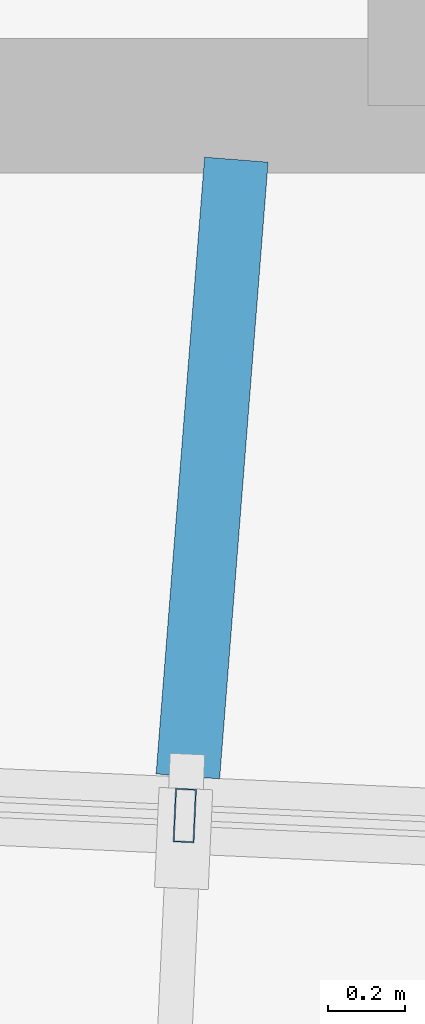
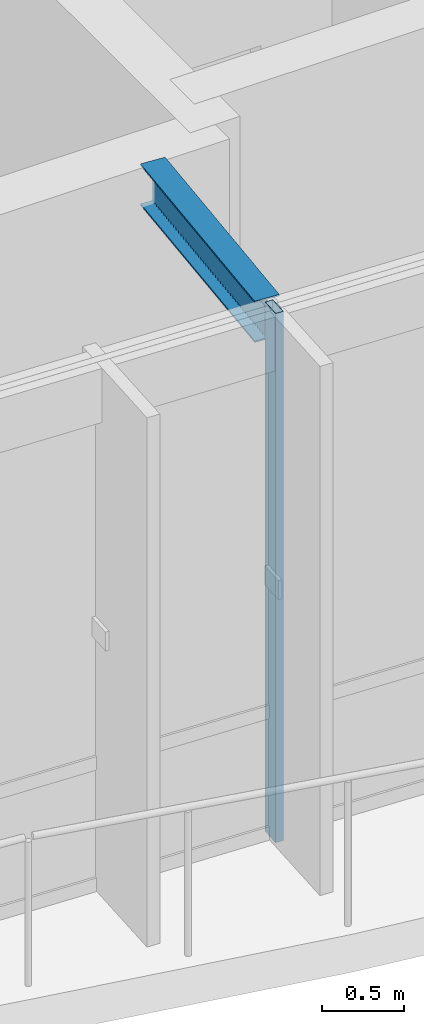
# One storey, part 16 of 79: 1 beam, 1 member, 1 element without a shape of its own.
"""IFC4 building model written with IfcOpenShell, lengths in metres."""

from ifc_helpers import new_model, si_unit, direction, frame, origin, origin_2d, place, context, subcontext, project, spatial, hollow_rectangle, i_section, extrude, material, material_profile, profile_set, type_object, element, aggregate, save


model = new_model("IFC4")

# Units and contexts
model_context = context("Model", 3, precision=1e-05, world=origin(), true_north=direction((0.0, 1.0)))
body_context = subcontext(model_context, "Body", "Model", "MODEL_VIEW")
ifc_project = project(units=[si_unit("LENGTHUNIT", "METRE"), si_unit("AREAUNIT", "SQUARE_METRE"), si_unit("VOLUMEUNIT", "CUBIC_METRE"), si_unit("PLANEANGLEUNIT", "RADIAN"), si_unit("MASSUNIT", "GRAM", prefix="KILO"), si_unit("THERMODYNAMICTEMPERATUREUNIT", "KELVIN"), si_unit("POWERUNIT", "WATT")], contexts=[model_context])

# Site, building, storey
site_placement = place(None, origin())
site = spatial("IfcSite", under=ifc_project, at=site_placement, CompositionType="ELEMENT")
building_placement = place(site_placement, origin())
building = spatial("IfcBuilding", under=site, at=building_placement, Name="Darbajah Civic Hall", CompositionType="ELEMENT")
storey_placement = place(building_placement, frame((0.0, 0.0, 22.199951171875)))
storey = spatial("IfcBuildingStorey", under=building, at=storey_placement, Name="L05", CompositionType="ELEMENT", Elevation=22.199951171875)

# Curtain wall, member
ifc_material_1 = material(Name="Anodised Bronze Aluminium and Low-E Glazing", Category="aluminium")
curtain_wall_type = type_object("IfcCurtainWallType", Name="Unitised Curtain Wall CW-84 15400x3900", PredefinedType="USERDEFINED", material=ifc_material_1)
curtain_wall_placement = place(storey_placement, origin())
curtain_wall = element("IfcCurtainWall", 1, at=curtain_wall_placement, inside=storey, type_object=curtain_wall_type, Name="L05 unitised curtain wall CW-V1O-L05-14", ObjectType="UNITISED CURTAIN WALL", PredefinedType="USERDEFINED")
ifc_material_2 = material(Name="Anodised Bronze Aluminium", Category="aluminium")
ifc_material_profile_1 = material_profile(ifc_material_2, hollow_rectangle(XDim=0.054931640625, YDim=0.139892578125, WallThickness=0.003173828125, at=origin_2d()), Name="ALU MULLION 55x140")
ifc_profile_set_1 = profile_set([ifc_material_profile_1], Name="Anodised Bronze Aluminium")
member_type = type_object("IfcMemberType", Name="ALU MULLION 55x140", PredefinedType="MULLION", material=ifc_profile_set_1)
member_placement = place(storey_placement, frame((85.14794921875, 60.7529296875, 0.0), z_axis=(0.0, 0.0, 1.0), x_axis=(0.998962637241, -0.045537340693, 0.0)))
member = element("IfcMember", 2, at=member_placement, type_object=member_type, Name="CW-V1O-L05-14 mullion 3", PredefinedType="MULLION", context=body_context, shape_type="SweptSolid", body=[
    extrude(hollow_rectangle(XDim=0.054931640625, YDim=0.139892578125, WallThickness=0.003173828125, at=origin_2d()), origin(), (0.0, 0.0, 1.0), 3.920166015625),
])
aggregate(curtain_wall, [member])

# Beam
ifc_material_3 = material(Name="Steel S355JR", Category="steel")
ifc_material_profile_2 = material_profile(ifc_material_3, i_section(OverallWidth=0.165771484375, OverallDepth=0.306640625, WebThickness=0.006591796875, FlangeThickness=0.01171875, FilletRadius=0.0087890625, at=origin_2d()), Name="UB 305x165x46")
ifc_profile_set_2 = profile_set([ifc_material_profile_2], Name="Steel S355JR")
beam_type = type_object("IfcBeamType", Name="UB 305x165x46", PredefinedType="JOIST", material=ifc_profile_set_2)
beam_placement = place(storey_placement, frame((85.2822265625, 62.4599609375, 3.766845703125), z_axis=(-0.078389217268, -0.996922830823, 0.0), x_axis=(0.996922830823, -0.078389217268, 0.0)))
element("IfcBeam", 3, at=beam_placement, inside=storey, type_object=beam_type, Name="L05 beam SJ-305", PredefinedType="JOIST", context=body_context, shape_type="SweptSolid", body=[
    extrude(i_section(OverallWidth=0.165771484375, OverallDepth=0.306640625, WebThickness=0.006591796875, FlangeThickness=0.01171875, FilletRadius=0.0087890625, at=origin_2d()), origin(), (0.0, 0.0, 1.0), 1.610107421875),
])

save(model, "model.ifc")
